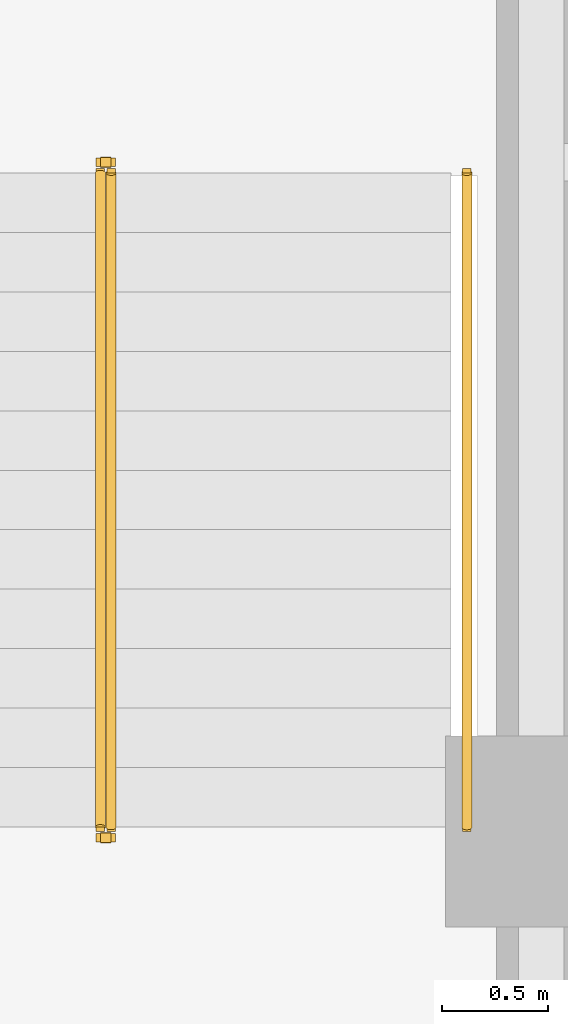
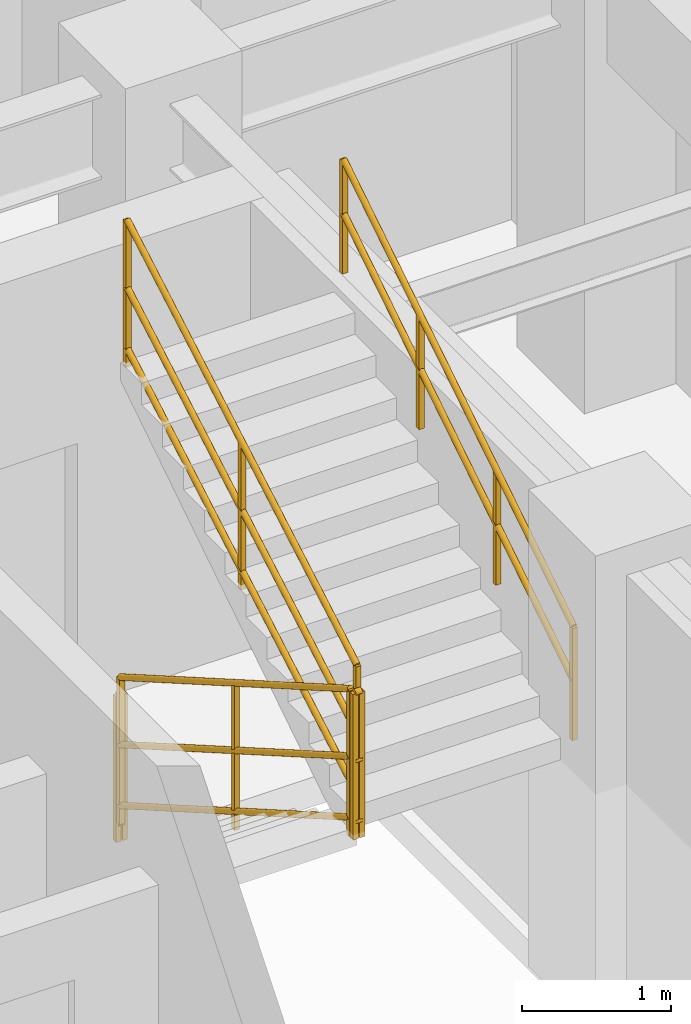
# One storey, part 9 of 10: 5 railings.
"""IFC4 building model written with IfcOpenShell, lengths in metres."""

from ifc_helpers import new_model, entity, si_unit, converted_unit, direction, frame, origin_with_axes, origin_2d_with_axis, place, context, subcontext, project, spatial, rectangle, circle, extrude, material, type_object, element, save


model = new_model("IFC4")

# Units and contexts
model_context = context("Model", 3, precision=1e-05, world=origin_with_axes(), true_north=direction((0.0, 1.0)))
body_context = subcontext(model_context, "Body", "Model", "MODEL_VIEW")
ifc_project = project(units=[si_unit("LENGTHUNIT", "METRE"), si_unit("AREAUNIT", "SQUARE_METRE"), si_unit("VOLUMEUNIT", "CUBIC_METRE"), converted_unit("PLANEANGLEUNIT", "DEGREE", entity("IfcPlaneAngleMeasure", 0.017453292519943295), si_unit("PLANEANGLEUNIT", "RADIAN"), dimensions=[0, 0, 0, 0, 0, 0, 0]), si_unit("MASSUNIT", "GRAM", prefix="KILO"), si_unit("THERMODYNAMICTEMPERATUREUNIT", "KELVIN")], contexts=[model_context])

# Site, building, storey
site_placement = place(None, origin_with_axes())
site = spatial("IfcSite", under=ifc_project, at=site_placement, CompositionType="ELEMENT")
building_placement = place(site_placement, origin_with_axes())
building = spatial("IfcBuilding", under=site, at=building_placement, Name="Varnlund Millrace Tower", CompositionType="ELEMENT")
storey_placement = place(building_placement, frame((0.0, 0.0, 232.5), z_axis=(0.0, 0.0, 1.0), x_axis=(1.0, 0.0, 0.0)))
storey = spatial("IfcBuildingStorey", under=building, at=storey_placement, Name="L57", CompositionType="ELEMENT", Elevation=232.5)

# Railings
ifc_material_1 = material(Name="Painted steel stair well balustrade guard", Category="steel")
railing_type_1 = type_object("IfcRailingType", Name="Type-StairGuard-1150", PredefinedType="GUARDRAIL", material=ifc_material_1)
railing_1_placement = place(storey_placement, frame((0.0, 0.0, -232.5), z_axis=(0.0, 0.0, 1.0), x_axis=(1.0, 0.0, 0.0)))
element("IfcRailing", 1, at=railing_1_placement, inside=storey, type_object=railing_type_1, Name="Type-StairGuard-1150", PredefinedType="GUARDRAIL", context=body_context, shape_type="SweptSolid", body=[
    extrude(circle(Radius=0.024, at=origin_2d_with_axis()), frame((45.975, 21.1, 233.827273), z_axis=(0.0, -0.866696, 0.498836), x_axis=(1.0, 0.0, 0.0)), (0.0, 0.0, 1.0), 3.553725),
    extrude(circle(Radius=0.024, at=origin_2d_with_axis()), frame((45.975, 21.1, 232.777273), z_axis=(0.0, -0.866696, 0.498836), x_axis=(1.0, 0.0, 0.0)), (0.0, 0.0, 1.0), 3.553725),
    extrude(circle(Radius=0.024, at=origin_2d_with_axis()), frame((45.975, 21.1, 233.275273), z_axis=(0.0, -0.866696, 0.498836), x_axis=(1.0, 0.0, 0.0)), (0.0, 0.0, 1.0), 3.553725),
    extrude(rectangle(XDim=0.04, YDim=0.04, at=origin_2d_with_axis()), frame((45.975, 21.1, 232.637273), z_axis=(0.0, 0.0, 1.0), x_axis=(1.0, 0.0, 0.0)), (0.0, 0.0, 1.0), 1.19),
    extrude(rectangle(XDim=0.04, YDim=0.04, at=origin_2d_with_axis()), frame((45.975, 19.56, 233.523637), z_axis=(0.0, 0.0, 1.0), x_axis=(1.0, 0.0, 0.0)), (0.0, 0.0, 1.0), 1.19),
    extrude(rectangle(XDim=0.04, YDim=0.04, at=origin_2d_with_axis()), frame((45.975, 18.02, 234.41), z_axis=(0.0, 0.0, 1.0), x_axis=(1.0, 0.0, 0.0)), (0.0, 0.0, 1.0), 1.19),
])
railing_2_placement = place(storey_placement, frame((0.0, 0.0, -232.5), z_axis=(0.0, 0.0, 1.0), x_axis=(1.0, 0.0, 0.0)))
element("IfcRailing", 2, at=railing_2_placement, inside=storey, type_object=railing_type_1, Name="Type-StairGuard-1150", PredefinedType="GUARDRAIL", context=body_context, shape_type="SweptSolid", body=[
    extrude(circle(Radius=0.024, at=origin_2d_with_axis()), frame((46.025, 17.97, 235.6), z_axis=(-1.0, 0.0, 0.0), x_axis=(0.0, -1.0, 0.0)), (0.0, 0.0, 1.0), 0.05),
    extrude(circle(Radius=0.024, at=origin_2d_with_axis()), frame((46.025, 17.97, 234.55), z_axis=(-1.0, 0.0, 0.0), x_axis=(0.0, -1.0, 0.0)), (0.0, 0.0, 1.0), 0.05),
    extrude(circle(Radius=0.024, at=origin_2d_with_axis()), frame((46.025, 17.97, 235.048), z_axis=(-1.0, 0.0, 0.0), x_axis=(0.0, -1.0, 0.0)), (0.0, 0.0, 1.0), 0.05),
    extrude(rectangle(XDim=0.04, YDim=0.04, at=origin_2d_with_axis()), frame((46.025, 17.97, 234.41), z_axis=(0.0, 0.0, 1.0), x_axis=(1.0, 0.0, 0.0)), (0.0, 0.0, 1.0), 1.19),
    extrude(rectangle(XDim=0.04, YDim=0.04, at=origin_2d_with_axis()), frame((45.975, 17.97, 234.41), z_axis=(0.0, 0.0, 1.0), x_axis=(1.0, 0.0, 0.0)), (0.0, 0.0, 1.0), 1.19),
])
railing_3_placement = place(storey_placement, frame((0.0, 0.0, -232.5), z_axis=(0.0, 0.0, 1.0), x_axis=(1.0, 0.0, 0.0)))
element("IfcRailing", 3, at=railing_3_placement, inside=storey, type_object=railing_type_1, Name="Type-StairGuard-1150", PredefinedType="GUARDRAIL", context=body_context, shape_type="SweptSolid", body=[
    extrude(circle(Radius=0.024, at=origin_2d_with_axis()), frame((46.025, 18.02, 235.777273), z_axis=(0.0, 0.866696, 0.498836), x_axis=(-1.0, 0.0, 0.0)), (0.0, 0.0, 1.0), 3.553725),
    extrude(circle(Radius=0.024, at=origin_2d_with_axis()), frame((46.025, 18.02, 234.727273), z_axis=(0.0, 0.866696, 0.498836), x_axis=(-1.0, 0.0, 0.0)), (0.0, 0.0, 1.0), 3.553725),
    extrude(circle(Radius=0.024, at=origin_2d_with_axis()), frame((46.025, 18.02, 235.225273), z_axis=(0.0, 0.866696, 0.498836), x_axis=(-1.0, 0.0, 0.0)), (0.0, 0.0, 1.0), 3.553725),
    extrude(rectangle(XDim=0.04, YDim=0.04, at=origin_2d_with_axis()), frame((46.025, 18.02, 234.587273), z_axis=(0.0, 0.0, 1.0), x_axis=(1.0, 0.0, 0.0)), (0.0, 0.0, 1.0), 1.19),
    extrude(rectangle(XDim=0.04, YDim=0.04, at=origin_2d_with_axis()), frame((46.025, 19.56, 235.473637), z_axis=(0.0, 0.0, 1.0), x_axis=(1.0, 0.0, 0.0)), (0.0, 0.0, 1.0), 1.19),
    extrude(rectangle(XDim=0.04, YDim=0.04, at=origin_2d_with_axis()), frame((46.025, 21.1, 236.36), z_axis=(0.0, 0.0, 1.0), x_axis=(1.0, 0.0, 0.0)), (0.0, 0.0, 1.0), 1.19),
])
railing_4_placement = place(storey_placement, frame((0.0, 0.0, -232.5), z_axis=(0.0, 0.0, 1.0), x_axis=(1.0, 0.0, 0.0)))
element("IfcRailing", 4, at=railing_4_placement, inside=storey, type_object=railing_type_1, Name="Type-StairGuard-1150", PredefinedType="GUARDRAIL", context=body_context, shape_type="SweptSolid", body=[
    extrude(circle(Radius=0.024, at=origin_2d_with_axis()), frame((46.025, 21.15, 233.65), z_axis=(-1.0, 0.0, 0.0), x_axis=(0.0, -1.0, 0.0)), (0.0, 0.0, 1.0), 0.05),
    extrude(circle(Radius=0.024, at=origin_2d_with_axis()), frame((46.025, 21.15, 232.6), z_axis=(-1.0, 0.0, 0.0), x_axis=(0.0, -1.0, 0.0)), (0.0, 0.0, 1.0), 0.05),
    extrude(circle(Radius=0.024, at=origin_2d_with_axis()), frame((46.025, 21.15, 233.098), z_axis=(-1.0, 0.0, 0.0), x_axis=(0.0, -1.0, 0.0)), (0.0, 0.0, 1.0), 0.05),
    extrude(rectangle(XDim=0.04, YDim=0.04, at=origin_2d_with_axis()), frame((46.025, 21.15, 232.46), z_axis=(0.0, 0.0, 1.0), x_axis=(1.0, 0.0, 0.0)), (0.0, 0.0, 1.0), 1.19),
    extrude(rectangle(XDim=0.04, YDim=0.04, at=origin_2d_with_axis()), frame((45.975, 21.15, 232.46), z_axis=(0.0, 0.0, 1.0), x_axis=(1.0, 0.0, 0.0)), (0.0, 0.0, 1.0), 1.19),
])
ifc_material_2 = material(Name="Brushed architectural bronze stair handrail", Category="aluminium")
railing_type_2 = type_object("IfcRailingType", Name="Type-StairHandrail-900", PredefinedType="HANDRAIL", material=ifc_material_2)
railing_5_placement = place(storey_placement, frame((0.0, 0.0, -232.5), z_axis=(0.0, 0.0, 1.0), x_axis=(1.0, 0.0, 0.0)))
element("IfcRailing", 5, at=railing_5_placement, inside=storey, type_object=railing_type_2, Name="Type-StairHandrail-900", PredefinedType="HANDRAIL", context=body_context, shape_type="SweptSolid", body=[
    extrude(circle(Radius=0.024, at=origin_2d_with_axis()), frame((47.7, 18.02, 235.506995), z_axis=(0.0, 0.844902, 0.534922), x_axis=(-1.0, 0.0, 0.0)), (0.0, 0.0, 1.0), 3.645394),
    extrude(circle(Radius=0.024, at=origin_2d_with_axis()), frame((47.7, 18.02, 235.067134), z_axis=(0.0, 0.844902, 0.534922), x_axis=(-1.0, 0.0, 0.0)), (0.0, 0.0, 1.0), 3.645394),
    extrude(rectangle(XDim=0.04, YDim=0.04, at=origin_2d_with_axis()), frame((47.7, 18.02, 234.587273), z_axis=(0.0, 0.0, 1.0), x_axis=(1.0, 0.0, 0.0)), (0.0, 0.0, 1.0), 0.919722),
    extrude(rectangle(XDim=0.04, YDim=0.04, at=origin_2d_with_axis()), frame((47.7, 19.046667, 235.237273), z_axis=(0.0, 0.0, 1.0), x_axis=(1.0, 0.0, 0.0)), (0.0, 0.0, 1.0), 0.919722),
    extrude(rectangle(XDim=0.04, YDim=0.04, at=origin_2d_with_axis()), frame((47.7, 20.073333, 235.887273), z_axis=(0.0, 0.0, 1.0), x_axis=(1.0, 0.0, 0.0)), (0.0, 0.0, 1.0), 0.919722),
    extrude(rectangle(XDim=0.04, YDim=0.04, at=origin_2d_with_axis()), frame((47.7, 21.1, 236.537273), z_axis=(0.0, 0.0, 1.0), x_axis=(1.0, 0.0, 0.0)), (0.0, 0.0, 1.0), 0.919722),
])

save(model, "model.ifc")
